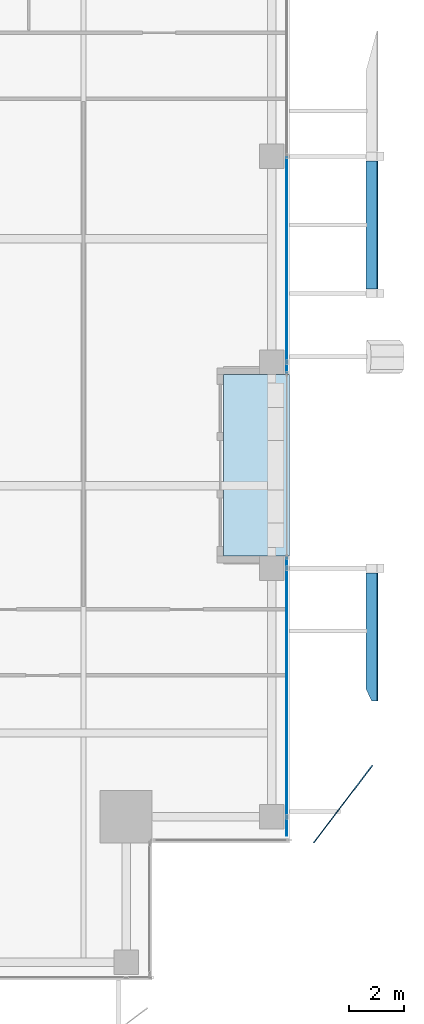
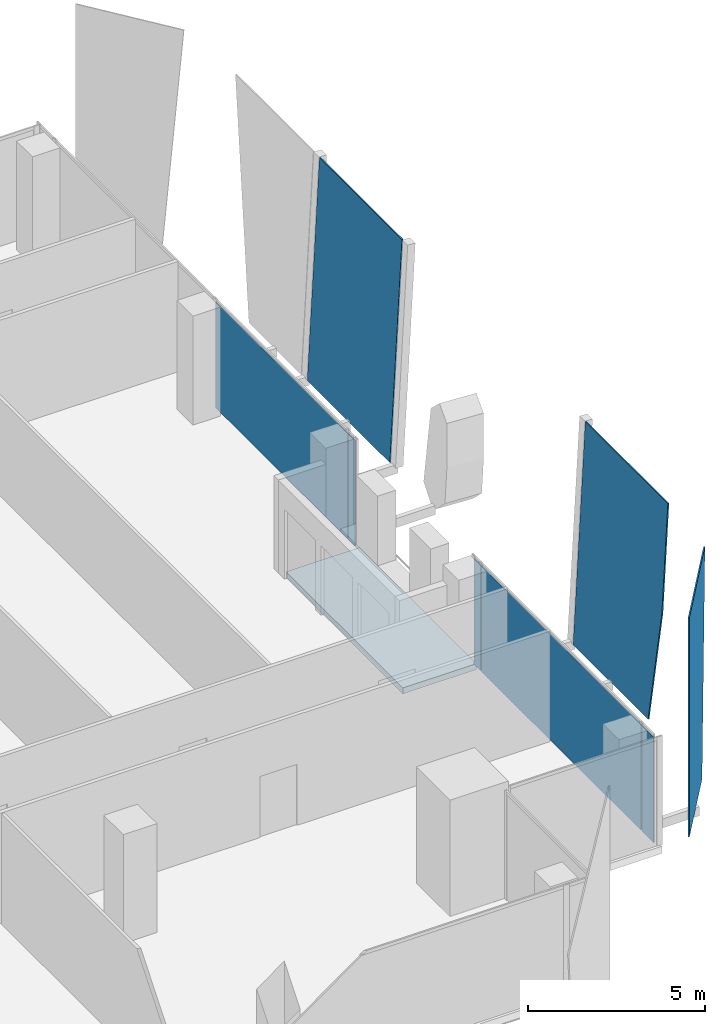
# One storey, part 25 of 35: 8 plates, 1 slab, 2 elements without a shape of their own.
"""IFC4 building model written with IfcOpenShell, lengths in metres."""

from ifc_helpers import new_model, si_unit, direction, frame, origin, origin_2d, place, context, subcontext, project, spatial, polyline, rectangle, outline, extrude, source, transform, mapped, material, layer, layer_set, type_object, element, aggregate, save


model = new_model("IFC4")

# Units and contexts
model_context = context("Model", 3, precision=1e-05, world=origin(), true_north=direction((0.0, 1.0)))
body_context = subcontext(model_context, "Body", "Model", "MODEL_VIEW")
ifc_project = project(units=[si_unit("LENGTHUNIT", "METRE"), si_unit("AREAUNIT", "SQUARE_METRE"), si_unit("VOLUMEUNIT", "CUBIC_METRE"), si_unit("PLANEANGLEUNIT", "RADIAN"), si_unit("MASSUNIT", "GRAM", prefix="KILO")], contexts=[model_context])

# Site, building, storey
site_placement = place(None, origin())
site = spatial("IfcSite", under=ifc_project, at=site_placement, CompositionType="ELEMENT")
building_placement = place(site_placement, origin())
building = spatial("IfcBuilding", under=site, at=building_placement, Name="Khomas Fold Tower", CompositionType="ELEMENT")
storey_placement = place(building_placement, frame((0.0, 0.0, 258.199951171875)))
storey = spatial("IfcBuildingStorey", under=building, at=storey_placement, Name="L58", CompositionType="ELEMENT", Elevation=258.199951171875)

# Plates
ifc_material_1 = material(Name="Clear laminated glass", Category="glass")
ifc_layer_1 = layer(ifc_material_1, 0.0400390625)
ifc_layer_set_1 = layer_set([ifc_layer_1], Name="Clear laminated glass")
plate_type_1 = type_object("IfcPlateType", Name="SK-Clear laminated glass leaf", PredefinedType="SHEET", material=ifc_layer_set_1)
plate_1_placement = place(storey_placement, frame((52.530517578125, 12.314453125, 7.550048828125), z_axis=(0.797288379406, -0.603598575162, 1.1275259e-05), x_axis=(-0.052197448529, -0.068965789293, -0.996252551452)))
element("IfcPlate", 1, at=plate_1_placement, inside=storey, type_object=plate_type_1, Name="OUTER SKIN glass L58 EG098-1", PredefinedType="SHEET", context=body_context, shape_type="SweptSolid", body=[
    extrude(outline(polyline([(0.0, 0.0), (7.578448675571471, 1.1102230246251565e-16), (7.827069068829954, -2.8637204417697926), (0.3053136602244949, -3.5167387209467975), (0.0, 0.0)])), origin(), (0.0, 0.0, -1.0), 0.0400390625),
])
plate_2_placement = place(storey_placement, frame((52.28662109375, 15.101318359375, 0.0), z_axis=(-0.998629041929, 1.444003e-06, 0.052345359047), x_axis=(0.05201775935, -0.111676205933, 0.992382273996)))
element("IfcPlate", 2, at=plate_2_placement, inside=storey, type_object=plate_type_1, Name="OUTER SKIN glass L58 EG099-2", PredefinedType="SHEET", context=body_context, shape_type="SweptSolid", body=[
    extrude(outline(polyline([(0.0, 0.0), (3.8629221040300483, 0.0), (7.561297477319968, 0.4156203816943149), (7.040868908264122, 5.04662571303213), (-0.47225184642792944, 4.202307383911478), (0.0, 0.0)])), origin(), (0.0, 0.0, -1.0), 0.0400390625),
])
plate_3_placement = place(storey_placement, frame((52.682373046875, 34.330078125, 7.550048828125), z_axis=(-0.998629046243, 0.0, 0.052345276765), x_axis=(-0.052345276765, 0.0, -0.998629046243)))
element("IfcPlate", 3, at=plate_3_placement, inside=storey, type_object=plate_type_1, Name="OUTER SKIN glass L58 EG102-5", PredefinedType="SHEET", context=body_context, shape_type="SweptSolid", body=[
    extrude(outline(polyline([(0.0, 0.0), (7.560413805835891, 0.0), (7.560413805835891, 4.660156250000001), (0.0, 4.660156250000001), (0.0, 0.0)])), origin(), (0.0, 0.0, -1.0), 0.0400390625),
])

# Curtain wall, plate
ifc_material_2 = material(Name="Aluminium framed double glazing", Category="aluminium")
curtain_wall_type = type_object("IfcCurtainWallType", Name="SK-Unitised clear-glass wall, office floors CW2", PredefinedType="NOTDEFINED", material=ifc_material_2)
curtain_wall_1_placement = place(storey_placement, origin())
curtain_wall_1 = element("IfcCurtainWall", 4, at=curtain_wall_1_placement, inside=storey, type_object=curtain_wall_type, Name="CW2 run L58 03-0", PredefinedType="NOTDEFINED")
ifc_material_3 = material(Name="Clear double glazed unit")
ifc_layer_2 = layer(ifc_material_3, 0.030029296875)
ifc_layer_set_2 = layer_set([ifc_layer_2], Name="Clear double glazed unit")
plate_type_2 = type_object("IfcPlateType", Name="SK-Unitised clear-glass wall, office floors glass panel CW2-P", PredefinedType="CURTAIN_PANEL", material=ifc_layer_set_2)
shared_shape_1 = source(origin(), body_context, "Body", "SweptSolid", [
    extrude(rectangle(XDim=0.659912109375, YDim=0.030029296875, at=origin_2d()), origin(), (0.0, 0.0, 1.0), 3.639892578125),
])
plate_4_placement = place(storey_placement, frame((49.39990234375, 10.090087890625, 0.0), z_axis=(0.0, 0.0, 1.0), x_axis=(0.0, 1.0, 0.0)))
plate_4 = element("IfcPlate", 5, at=plate_4_placement, type_object=plate_type_2, Name="CW2 glass panel 1", PredefinedType="CURTAIN_PANEL", context=body_context, shape_type="MappedRepresentation", body=[
    mapped(shared_shape_1, transform((0.0, 0.0, 0.0))),
])

curtain_wall_2_placement = place(storey_placement, origin())
curtain_wall_2 = element("IfcCurtainWall", 6, at=curtain_wall_2_placement, inside=storey, type_object=curtain_wall_type, Name="CW2 run L58 03-1", PredefinedType="NOTDEFINED")
shared_shape_2 = source(origin(), body_context, "Body", "SweptSolid", [
    extrude(rectangle(XDim=7.43994140625, YDim=0.030029296875, at=origin_2d()), origin(), (0.0, 0.0, 1.0), 3.639892578125),
])
plate_5_placement = place(storey_placement, frame((49.39990234375, 30.75, 0.0), z_axis=(0.0, 0.0, 1.0), x_axis=(0.0, 1.0, 0.0)))
plate_5 = element("IfcPlate", 7, at=plate_5_placement, type_object=plate_type_2, Name="CW2 glass panel 2", PredefinedType="CURTAIN_PANEL", context=body_context, shape_type="MappedRepresentation", body=[
    mapped(shared_shape_2, transform((0.0, 0.0, 0.0))),
])

# Plate
shared_shape_3 = source(origin(), body_context, "Body", "SweptSolid", [
    extrude(rectangle(XDim=8.989990234375, YDim=0.030029296875, at=origin_2d()), origin(), (0.0, 0.0, 1.0), 3.639892578125),
])
plate_6_placement = place(storey_placement, frame((49.39990234375, 14.97509765625, 0.0), z_axis=(0.0, 0.0, 1.0), x_axis=(0.0, 1.0, 0.0)))
plate_6 = element("IfcPlate", 8, at=plate_6_placement, type_object=plate_type_2, Name="CW2 glass panel 2", PredefinedType="CURTAIN_PANEL", context=body_context, shape_type="MappedRepresentation", body=[
    mapped(shared_shape_3, transform((0.0, 0.0, 0.0))),
])

shared_shape_4 = source(origin(), body_context, "Body", "SweptSolid", [
    extrude(rectangle(XDim=0.360107421875, YDim=0.030029296875, at=origin_2d()), origin(), (0.0, 0.0, 1.0), 3.639892578125),
])
plate_7_placement = place(storey_placement, frame((49.39990234375, 19.7099609375, 0.0), z_axis=(0.0, 0.0, 1.0), x_axis=(0.0, 1.0, 0.0)))
plate_7 = element("IfcPlate", 9, at=plate_7_placement, type_object=plate_type_2, Name="CW2 glass panel 3", PredefinedType="CURTAIN_PANEL", context=body_context, shape_type="MappedRepresentation", body=[
    mapped(shared_shape_4, transform((0.0, 0.0, 0.0))),
])

aggregate(curtain_wall_1, [plate_4, plate_6, plate_7])

plate_8_placement = place(storey_placement, frame((49.39990234375, 26.7900390625, 0.0), z_axis=(0.0, 0.0, 1.0), x_axis=(0.0, 1.0, 0.0)))
plate_8 = element("IfcPlate", 10, at=plate_8_placement, type_object=plate_type_2, Name="CW2 glass panel 1", PredefinedType="CURTAIN_PANEL", context=body_context, shape_type="MappedRepresentation", body=[
    mapped(shared_shape_4, transform((0.0, 0.0, 0.0))),
])

aggregate(curtain_wall_2, [plate_8, plate_5])

# Slab
ifc_material_4 = material(Name="Concrete C40/50", Category="concrete")
ifc_layer_3 = layer(ifc_material_4, 0.205078125)
ifc_layer_set_3 = layer_set([ifc_layer_3], Name="Concrete C40/50")
slab_type = type_object("IfcSlabType", Name="BL-Balcony deck 205", PredefinedType="FLOOR", material=ifc_layer_set_3)
shared_shape_5 = source(origin(), body_context, "Body", "SweptSolid", [
    extrude(outline(polyline([(47.10009765625, 19.949951171875), (49.5, 19.949951171875), (49.5, 26.550048828125), (47.10009765625, 26.550048828125), (47.10009765625, 19.949951171875)])), origin(), (0.0, 0.0, 1.0), 0.205078125),
])
slab_placement = place(storey_placement, frame((0.0, 0.0, -0.25)))
element("IfcSlab", 11, at=slab_placement, inside=storey, type_object=slab_type, Name="Balcony deck BAL-L58-E2", PredefinedType="FLOOR", context=body_context, shape_type="MappedRepresentation", body=[
    mapped(shared_shape_5, transform((0.0, 0.0, 0.0))),
])

save(model, "model.ifc")
